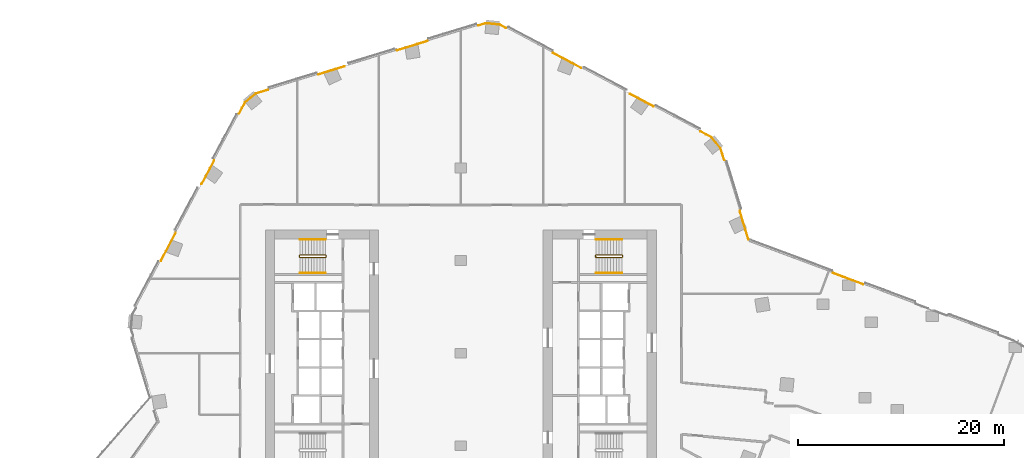
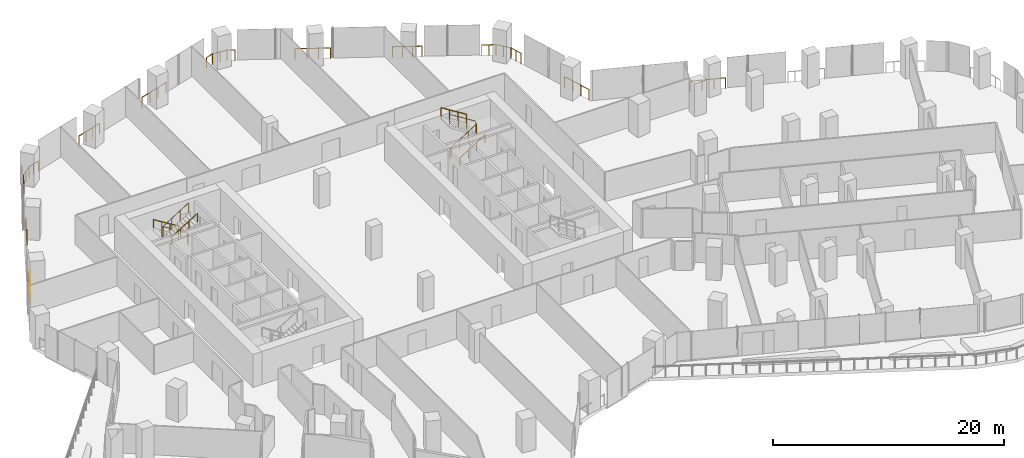
# One storey, part 30 of 30: 17 railings.
"""IFC4 building model written with IfcOpenShell, lengths in metres."""

from ifc_helpers import new_model, si_unit, direction, frame, origin, origin_2d, place, context, subcontext, project, spatial, circle, extrude, material, type_object, element, save


model = new_model("IFC4")

# Units and contexts
model_context = context("Model", 3, precision=1e-05, world=origin(), true_north=direction((0.0, 1.0)))
body_context = subcontext(model_context, "Body", "Model", "MODEL_VIEW")
ifc_project = project(units=[si_unit("LENGTHUNIT", "METRE"), si_unit("AREAUNIT", "SQUARE_METRE"), si_unit("VOLUMEUNIT", "CUBIC_METRE"), si_unit("PLANEANGLEUNIT", "RADIAN"), si_unit("MASSUNIT", "GRAM", prefix="KILO")], contexts=[model_context])

# Site, building, storey
site_placement = place(None, origin())
site = spatial("IfcSite", under=ifc_project, at=site_placement, CompositionType="ELEMENT")
building_placement = place(site_placement, origin())
building = spatial("IfcBuilding", under=site, at=building_placement, Name="Orlundy Tower", CompositionType="ELEMENT")
storey_placement = place(building_placement, frame((0.0, 0.0, 80.699951171875)))
storey = spatial("IfcBuildingStorey", under=building, at=storey_placement, Name="L19", CompositionType="ELEMENT", Elevation=80.699951171875)

# Railings
ifc_material_1 = material(Name="Steel balustrade", Category="steel")
railing_type_1 = type_object("IfcRailingType", Name="Stair Guard 1100", PredefinedType="GUARDRAIL", material=ifc_material_1)
railing_1_placement = place(storey_placement, frame((-13.090087890625, 9.5, 0.0)))
element("IfcRailing", 1, at=railing_1_placement, inside=storey, type_object=railing_type_1, Name="L19 ST-W1 stair guard 1", PredefinedType="GUARDRAIL", context=body_context, shape_type="SweptSolid", body=[
    extrude(circle(Radius=0.02392578125, at=origin_2d()), frame((0.0, 0.0, 1.076171875), z_axis=(0.0, -1.0, 0.0), x_axis=(1.0, 0.0, 0.0)), (0.0, 0.0, 1.0), 0.14990234375),
    extrude(circle(Radius=0.02392578125, at=origin_2d()), frame((0.0, -0.14990234375, 1.076171875), z_axis=(-0.18420542264, 0.739530593833, 0.647427882513), x_axis=(-0.970351222016, -0.241699205484, 0.0)), (0.0, 0.0, 1.0), 0.270263671875),
    extrude(circle(Radius=0.02392578125, at=origin_2d()), frame((-0.0498046875, 0.050048828125, 1.2509765625), z_axis=(-0.848007534815, 0.0, 0.529984170421), x_axis=(0.0, -1.0, 0.0)), (0.0, 0.0, 1.0), 2.9716796875),
    extrude(circle(Radius=0.02392578125, at=origin_2d()), frame((-2.56982421875, 0.050048828125, 2.826171875), z_axis=(-0.707106781187, -0.707106781187, 0.0), x_axis=(0.707106781187, -0.707106781187, 0.0)), (0.0, 0.0, 1.0), 0.07080078125),
    extrude(circle(Radius=0.02392578125, at=origin_2d()), frame((-2.619873046875, 0.0, 2.826171875), z_axis=(0.0, -1.0, 0.0), x_axis=(1.0, 0.0, 0.0)), (0.0, 0.0, 1.0), 0.14990234375),
    extrude(circle(Radius=0.02392578125, at=origin_2d()), frame((-2.619873046875, -0.14990234375, 2.826171875), z_axis=(0.265065253269, -0.265065253269, 0.927081885822), x_axis=(0.707106781187, 0.707106781187, 0.0)), (0.0, 0.0, 1.0), 0.188720703125),
    extrude(circle(Radius=0.02392578125, at=origin_2d()), frame((-2.56982421875, -0.199951171875, 3.0009765625), z_axis=(0.848007534815, 0.0, 0.529984170421), x_axis=(0.0, 1.0, 0.0)), (0.0, 0.0, 1.0), 2.9716796875),
    extrude(circle(Radius=0.02099609375, at=origin_2d()), origin(), (0.0, 0.0, 1.0), 1.052001953125),
    extrude(circle(Radius=0.02099609375, at=origin_2d()), frame((0.0, -0.14990234375, 0.0)), (0.0, 0.0, 1.0), 1.052001953125),
    extrude(circle(Radius=0.02099609375, at=origin_2d()), frame((-0.0498046875, 0.050048828125, 0.175048828125)), (0.0, 0.0, 1.0), 1.052001953125),
    extrude(circle(Radius=0.02099609375, at=origin_2d()), frame((-0.889892578125, 0.050048828125, 0.699951171875)), (0.0, 0.0, 1.0), 1.052001953125),
    extrude(circle(Radius=0.02099609375, at=origin_2d()), frame((-1.729736328125, 0.050048828125, 1.22509765625)), (0.0, 0.0, 1.0), 1.052001953125),
    extrude(circle(Radius=0.02099609375, at=origin_2d()), frame((-2.56982421875, 0.050048828125, 1.75)), (0.0, 0.0, 1.0), 1.052001953125),
    extrude(circle(Radius=0.02099609375, at=origin_2d()), frame((-2.619873046875, 0.0, 1.75)), (0.0, 0.0, 1.0), 1.052001953125),
    extrude(circle(Radius=0.02099609375, at=origin_2d()), frame((-2.619873046875, -0.14990234375, 1.75)), (0.0, 0.0, 1.0), 1.052001953125),
    extrude(circle(Radius=0.02099609375, at=origin_2d()), frame((-2.56982421875, -0.199951171875, 1.925048828125)), (0.0, 0.0, 1.0), 1.052001953125),
    extrude(circle(Radius=0.02099609375, at=origin_2d()), frame((-1.729736328125, -0.199951171875, 2.449951171875)), (0.0, 0.0, 1.0), 1.052001953125),
    extrude(circle(Radius=0.02099609375, at=origin_2d()), frame((-0.889892578125, -0.199951171875, 2.97509765625)), (0.0, 0.0, 1.0), 1.052001953125),
    extrude(circle(Radius=0.02099609375, at=origin_2d()), frame((-0.0498046875, -0.199951171875, 3.5)), (0.0, 0.0, 1.0), 1.052001953125),
])
railing_2_placement = place(storey_placement, frame((13.090087890625, 9.35009765625, 0.0)))
element("IfcRailing", 2, at=railing_2_placement, inside=storey, type_object=railing_type_1, Name="L19 ST-E2 stair guard 1", PredefinedType="GUARDRAIL", context=body_context, shape_type="SweptSolid", body=[
    extrude(circle(Radius=0.02392578125, at=origin_2d()), frame((0.0, 0.0, 1.076171875), z_axis=(0.0, 1.0, 0.0), x_axis=(-1.0, 0.0, 0.0)), (0.0, 0.0, 1.0), 0.14990234375),
    extrude(circle(Radius=0.02392578125, at=origin_2d()), frame((0.0, 0.14990234375, 1.076171875), z_axis=(0.18420542264, -0.739530593833, 0.647427882513), x_axis=(0.970351222016, 0.241699205484, 0.0)), (0.0, 0.0, 1.0), 0.270263671875),
    extrude(circle(Radius=0.02392578125, at=origin_2d()), frame((0.0498046875, -0.050048828125, 1.2509765625), z_axis=(0.848007534815, 0.0, 0.529984170421), x_axis=(0.0, 1.0, 0.0)), (0.0, 0.0, 1.0), 2.9716796875),
    extrude(circle(Radius=0.02392578125, at=origin_2d()), frame((2.56982421875, -0.050048828125, 2.826171875), z_axis=(0.707106781187, 0.707106781187, 0.0), x_axis=(-0.707106781187, 0.707106781187, 0.0)), (0.0, 0.0, 1.0), 0.07080078125),
    extrude(circle(Radius=0.02392578125, at=origin_2d()), frame((2.619873046875, 0.0, 2.826171875), z_axis=(0.0, 1.0, 0.0), x_axis=(-1.0, 0.0, 0.0)), (0.0, 0.0, 1.0), 0.14990234375),
    extrude(circle(Radius=0.02392578125, at=origin_2d()), frame((2.619873046875, 0.14990234375, 2.826171875), z_axis=(-0.265065253269, 0.265065253269, 0.927081885822), x_axis=(-0.707106781187, -0.707106781187, 0.0)), (0.0, 0.0, 1.0), 0.188720703125),
    extrude(circle(Radius=0.02392578125, at=origin_2d()), frame((2.56982421875, 0.199951171875, 3.0009765625), z_axis=(-0.848007534815, 0.0, 0.529984170421), x_axis=(0.0, -1.0, 0.0)), (0.0, 0.0, 1.0), 2.9716796875),
    extrude(circle(Radius=0.02099609375, at=origin_2d()), origin(), (0.0, 0.0, 1.0), 1.052001953125),
    extrude(circle(Radius=0.02099609375, at=origin_2d()), frame((0.0, 0.14990234375, 0.0)), (0.0, 0.0, 1.0), 1.052001953125),
    extrude(circle(Radius=0.02099609375, at=origin_2d()), frame((0.0498046875, -0.050048828125, 0.175048828125)), (0.0, 0.0, 1.0), 1.052001953125),
    extrude(circle(Radius=0.02099609375, at=origin_2d()), frame((0.889892578125, -0.050048828125, 0.699951171875)), (0.0, 0.0, 1.0), 1.052001953125),
    extrude(circle(Radius=0.02099609375, at=origin_2d()), frame((1.729736328125, -0.050048828125, 1.22509765625)), (0.0, 0.0, 1.0), 1.052001953125),
    extrude(circle(Radius=0.02099609375, at=origin_2d()), frame((2.56982421875, -0.050048828125, 1.75)), (0.0, 0.0, 1.0), 1.052001953125),
    extrude(circle(Radius=0.02099609375, at=origin_2d()), frame((2.619873046875, 0.0, 1.75)), (0.0, 0.0, 1.0), 1.052001953125),
    extrude(circle(Radius=0.02099609375, at=origin_2d()), frame((2.619873046875, 0.14990234375, 1.75)), (0.0, 0.0, 1.0), 1.052001953125),
    extrude(circle(Radius=0.02099609375, at=origin_2d()), frame((2.56982421875, 0.199951171875, 1.925048828125)), (0.0, 0.0, 1.0), 1.052001953125),
    extrude(circle(Radius=0.02099609375, at=origin_2d()), frame((1.729736328125, 0.199951171875, 2.449951171875)), (0.0, 0.0, 1.0), 1.052001953125),
    extrude(circle(Radius=0.02099609375, at=origin_2d()), frame((0.889892578125, 0.199951171875, 2.97509765625)), (0.0, 0.0, 1.0), 1.052001953125),
    extrude(circle(Radius=0.02099609375, at=origin_2d()), frame((0.0498046875, 0.199951171875, 3.5)), (0.0, 0.0, 1.0), 1.052001953125),
])
ifc_material_2 = material(Name="Steel handrail", Category="steel")
railing_type_2 = type_object("IfcRailingType", Name="Stair Handrail 900", PredefinedType="HANDRAIL", material=ifc_material_2)
railing_3_placement = place(storey_placement, frame((-13.139892578125, 11.050048828125, 0.175048828125)))
element("IfcRailing", 3, at=railing_3_placement, inside=storey, type_object=railing_type_2, Name="L19 ST-W1 stair handrail 1", PredefinedType="HANDRAIL", context=body_context, shape_type="SweptSolid", body=[
    extrude(circle(Radius=0.02392578125, at=origin_2d()), frame((0.0, 0.0, 0.8759765625), z_axis=(-0.848007534815, 0.0, 0.529984170421), x_axis=(0.0, -1.0, 0.0)), (0.0, 0.0, 1.0), 2.9716796875),
    extrude(circle(Radius=0.02099609375, at=origin_2d()), origin(), (0.0, 0.0, 1.0), 0.851806640625),
    extrude(circle(Radius=0.02099609375, at=origin_2d()), frame((-0.840087890625, 0.0, 0.52490234375)), (0.0, 0.0, 1.0), 0.851806640625),
    extrude(circle(Radius=0.02099609375, at=origin_2d()), frame((-1.679931640625, 0.0, 1.050048828125)), (0.0, 0.0, 1.0), 0.851806640625),
    extrude(circle(Radius=0.02099609375, at=origin_2d()), frame((-2.52001953125, 0.0, 1.574951171875)), (0.0, 0.0, 1.0), 0.851806640625),
])
for number, where, name in (
    (4, (-15.659912109375, 7.800048828125, 1.925048828125), "L19 ST-W1 stair handrail 2"),
    (5, (13.139892578125, 7.800048828125, 0.175048828125), "L19 ST-E2 stair handrail 1"),
):
    element("IfcRailing", number, at=place(storey_placement, frame(where)), inside=storey, type_object=railing_type_2, Name=name, PredefinedType="HANDRAIL", context=body_context, shape_type="SweptSolid", body=[
        extrude(circle(Radius=0.02392578125, at=origin_2d()), frame((0.0, 0.0, 0.8759765625), z_axis=(0.848007534815, 0.0, 0.529984170421), x_axis=(0.0, 1.0, 0.0)), (0.0, 0.0, 1.0), 2.9716796875),
        extrude(circle(Radius=0.02099609375, at=origin_2d()), origin(), (0.0, 0.0, 1.0), 0.851806640625),
        extrude(circle(Radius=0.02099609375, at=origin_2d()), frame((0.840087890625, 0.0, 0.52490234375)), (0.0, 0.0, 1.0), 0.851806640625),
        extrude(circle(Radius=0.02099609375, at=origin_2d()), frame((1.679931640625, 0.0, 1.050048828125)), (0.0, 0.0, 1.0), 0.851806640625),
        extrude(circle(Radius=0.02099609375, at=origin_2d()), frame((2.52001953125, 0.0, 1.574951171875)), (0.0, 0.0, 1.0), 0.851806640625),
    ])
railing_4_placement = place(storey_placement, frame((15.659912109375, 11.050048828125, 1.925048828125)))
element("IfcRailing", 6, at=railing_4_placement, inside=storey, type_object=railing_type_2, Name="L19 ST-E2 stair handrail 2", PredefinedType="HANDRAIL", context=body_context, shape_type="SweptSolid", body=[
    extrude(circle(Radius=0.02392578125, at=origin_2d()), frame((0.0, 0.0, 0.8759765625), z_axis=(-0.848007534815, 0.0, 0.529984170421), x_axis=(0.0, -1.0, 0.0)), (0.0, 0.0, 1.0), 2.9716796875),
    extrude(circle(Radius=0.02099609375, at=origin_2d()), origin(), (0.0, 0.0, 1.0), 0.851806640625),
    extrude(circle(Radius=0.02099609375, at=origin_2d()), frame((-0.840087890625, 0.0, 0.52490234375)), (0.0, 0.0, 1.0), 0.851806640625),
    extrude(circle(Radius=0.02099609375, at=origin_2d()), frame((-1.679931640625, 0.0, 1.050048828125)), (0.0, 0.0, 1.0), 0.851806640625),
    extrude(circle(Radius=0.02099609375, at=origin_2d()), frame((-2.52001953125, 0.0, 1.574951171875)), (0.0, 0.0, 1.0), 0.851806640625),
])
ifc_material_3 = material(Name="Stainless steel bronze finish", Category="steel")
railing_type_3 = type_object("IfcRailingType", Name="TG1 terrace guard", PredefinedType="GUARDRAIL", material=ifc_material_3)
railing_5_placement = place(storey_placement, frame((23.270263671875, 21.55908203125, 0.0)))
element("IfcRailing", 7, at=railing_5_placement, inside=storey, type_object=railing_type_3, Name="Guard TG-L19-E00", PredefinedType="GUARDRAIL", context=body_context, shape_type="SweptSolid", body=[
    extrude(circle(Radius=0.02490234375, at=origin_2d()), frame((0.0, 0.0, 1.09521484375), z_axis=(0.882968915007, -0.469431459461, 0.0), x_axis=(0.469431459461, 0.882968915007, 0.0)), (0.0, 0.0, 1.0), 1.249267578125),
    extrude(circle(Radius=0.02490234375, at=origin_2d()), frame((1.10302734375, -0.58642578125, 1.09521484375), z_axis=(0.635795334136, -0.771857689662, 0.0), x_axis=(0.771857689662, 0.635795334136, 0.0)), (0.0, 0.0, 1.0), 1.360107421875),
    extrude(circle(Radius=0.02490234375, at=origin_2d()), frame((1.9677734375, -1.63623046875, 1.09521484375), z_axis=(0.292355796987, -0.956309619301, 0.0), x_axis=(0.956309619301, 0.292355796987, 0.0)), (0.0, 0.0, 1.0), 1.219970703125),
    extrude(circle(Radius=0.02001953125, at=origin_2d()), origin(), (0.0, 0.0, 1.0), 1.070068359375),
    extrude(circle(Radius=0.02001953125, at=origin_2d()), frame((0.551513671875, -0.293212890625, 0.0)), (0.0, 0.0, 1.0), 1.070068359375),
    extrude(circle(Radius=0.02001953125, at=origin_2d()), frame((1.10302734375, -0.58642578125, 0.0)), (0.0, 0.0, 1.0), 1.070068359375),
    extrude(circle(Radius=0.02001953125, at=origin_2d()), frame((1.535400390625, -1.111328125, 0.0)), (0.0, 0.0, 1.0), 1.070068359375),
    extrude(circle(Radius=0.02001953125, at=origin_2d()), frame((1.9677734375, -1.63623046875, 0.0)), (0.0, 0.0, 1.0), 1.070068359375),
    extrude(circle(Radius=0.02001953125, at=origin_2d()), frame((2.14599609375, -2.2197265625, 0.0)), (0.0, 0.0, 1.0), 1.070068359375),
    extrude(circle(Radius=0.02001953125, at=origin_2d()), frame((2.324462890625, -2.802978515625, 0.0)), (0.0, 0.0, 1.0), 1.070068359375),
])
railing_6_placement = place(storey_placement, frame((-21.55908203125, 23.270263671875, 0.0)))
element("IfcRailing", 8, at=railing_6_placement, inside=storey, type_object=railing_type_3, Name="Guard TG-L19-E01", PredefinedType="GUARDRAIL", context=body_context, shape_type="SweptSolid", body=[
    extrude(circle(Radius=0.02490234375, at=origin_2d()), frame((0.0, 0.0, 1.09521484375), z_axis=(0.469431459461, 0.882968915007, 0.0), x_axis=(-0.882968915007, 0.469431459461, 0.0)), (0.0, 0.0, 1.0), 1.249267578125),
    extrude(circle(Radius=0.02490234375, at=origin_2d()), frame((0.58642578125, 1.10302734375, 1.09521484375), z_axis=(0.771857689662, 0.635795334136, 0.0), x_axis=(-0.635795334136, 0.771857689662, 0.0)), (0.0, 0.0, 1.0), 1.360107421875),
    extrude(circle(Radius=0.02490234375, at=origin_2d()), frame((1.63623046875, 1.9677734375, 1.09521484375), z_axis=(0.956309619301, 0.292355796987, 0.0), x_axis=(-0.292355796987, 0.956309619301, 0.0)), (0.0, 0.0, 1.0), 1.219970703125),
    extrude(circle(Radius=0.02001953125, at=origin_2d()), origin(), (0.0, 0.0, 1.0), 1.070068359375),
    extrude(circle(Radius=0.02001953125, at=origin_2d()), frame((0.293212890625, 0.551513671875, 0.0)), (0.0, 0.0, 1.0), 1.070068359375),
    extrude(circle(Radius=0.02001953125, at=origin_2d()), frame((0.58642578125, 1.10302734375, 0.0)), (0.0, 0.0, 1.0), 1.070068359375),
    extrude(circle(Radius=0.02001953125, at=origin_2d()), frame((1.111328125, 1.535400390625, 0.0)), (0.0, 0.0, 1.0), 1.070068359375),
    extrude(circle(Radius=0.02001953125, at=origin_2d()), frame((1.63623046875, 1.9677734375, 0.0)), (0.0, 0.0, 1.0), 1.070068359375),
    extrude(circle(Radius=0.02001953125, at=origin_2d()), frame((2.2197265625, 2.14599609375, 0.0)), (0.0, 0.0, 1.0), 1.070068359375),
    extrude(circle(Radius=0.02001953125, at=origin_2d()), frame((2.802978515625, 2.324462890625, 0.0)), (0.0, 0.0, 1.0), 1.070068359375),
])
railing_7_placement = place(storey_placement, frame((36.166015625, 7.78759765625, 0.0)))
element("IfcRailing", 9, at=railing_7_placement, inside=storey, type_object=railing_type_3, Name="Guard TG-L19-E06", PredefinedType="GUARDRAIL", context=body_context, shape_type="SweptSolid", body=[
    extrude(circle(Radius=0.02490234375, at=origin_2d()), frame((0.0, 0.0, 1.09521484375), z_axis=(0.936668366776, -0.350217604757, 0.0), x_axis=(0.350217604757, 0.936668366776, 0.0)), (0.0, 0.0, 1.0), 3.13134765625),
    extrude(circle(Radius=0.02001953125, at=origin_2d()), origin(), (0.0, 0.0, 1.0), 1.070068359375),
    extrude(circle(Radius=0.02001953125, at=origin_2d()), frame((0.977783203125, -0.365478515625, 0.0)), (0.0, 0.0, 1.0), 1.070068359375),
    extrude(circle(Radius=0.02001953125, at=origin_2d()), frame((1.955322265625, -0.731201171875, 0.0)), (0.0, 0.0, 1.0), 1.070068359375),
    extrude(circle(Radius=0.02001953125, at=origin_2d()), frame((2.93310546875, -1.0966796875, 0.0)), (0.0, 0.0, 1.0), 1.070068359375),
])
railing_8_placement = place(storey_placement, frame((-29.16650390625, 8.961669921875, 0.0)))
element("IfcRailing", 10, at=railing_8_placement, inside=storey, type_object=railing_type_3, Name="Guard TG-L19-E07", PredefinedType="GUARDRAIL", context=body_context, shape_type="SweptSolid", body=[
    extrude(circle(Radius=0.02490234375, at=origin_2d()), frame((0.0, 0.0, 1.09521484375), z_axis=(0.469416701805, 0.882976760774, 0.0), x_axis=(-0.882976760774, 0.469416701805, 0.0)), (0.0, 0.0, 1.0), 3.094482421875),
    extrude(circle(Radius=0.02001953125, at=origin_2d()), origin(), (0.0, 0.0, 1.0), 1.070068359375),
    extrude(circle(Radius=0.02001953125, at=origin_2d()), frame((0.484130859375, 0.910888671875, 0.0)), (0.0, 0.0, 1.0), 1.070068359375),
    extrude(circle(Radius=0.02001953125, at=origin_2d()), frame((0.968505859375, 1.821533203125, 0.0)), (0.0, 0.0, 1.0), 1.070068359375),
    extrude(circle(Radius=0.02001953125, at=origin_2d()), frame((1.45263671875, 2.732421875, 0.0)), (0.0, 0.0, 1.0), 1.070068359375),
])
railing_9_placement = place(storey_placement, frame((8.961669921875, 29.16650390625, 0.0)))
element("IfcRailing", 11, at=railing_9_placement, inside=storey, type_object=railing_type_3, Name="Guard TG-L19-E08", PredefinedType="GUARDRAIL", context=body_context, shape_type="SweptSolid", body=[
    extrude(circle(Radius=0.02490234375, at=origin_2d()), frame((0.0, 0.0, 1.09521484375), z_axis=(0.882976760774, -0.469416701805, 0.0), x_axis=(0.469416701805, 0.882976760774, 0.0)), (0.0, 0.0, 1.0), 3.094482421875),
    extrude(circle(Radius=0.02001953125, at=origin_2d()), origin(), (0.0, 0.0, 1.0), 1.070068359375),
    extrude(circle(Radius=0.02001953125, at=origin_2d()), frame((0.910888671875, -0.484130859375, 0.0)), (0.0, 0.0, 1.0), 1.070068359375),
    extrude(circle(Radius=0.02001953125, at=origin_2d()), frame((1.821533203125, -0.968505859375, 0.0)), (0.0, 0.0, 1.0), 1.070068359375),
    extrude(circle(Radius=0.02001953125, at=origin_2d()), frame((2.732421875, -1.45263671875, 0.0)), (0.0, 0.0, 1.0), 1.070068359375),
])
railing_10_placement = place(storey_placement, frame((-6.19189453125, 29.435791015625, 0.0)))
element("IfcRailing", 12, at=railing_10_placement, inside=storey, type_object=railing_type_3, Name="Guard TG-L19-E09", PredefinedType="GUARDRAIL", context=body_context, shape_type="SweptSolid", body=[
    extrude(circle(Radius=0.02490234375, at=origin_2d()), frame((0.0, 0.0, 1.09521484375), z_axis=(0.956299900558, 0.292387585566, 0.0), x_axis=(-0.292387585566, 0.956299900558, 0.0)), (0.0, 0.0, 1.0), 3.08203125),
    extrude(circle(Radius=0.02001953125, at=origin_2d()), origin(), (0.0, 0.0, 1.0), 1.070068359375),
    extrude(circle(Radius=0.02001953125, at=origin_2d()), frame((0.982421875, 0.30029296875, 0.0)), (0.0, 0.0, 1.0), 1.070068359375),
    extrude(circle(Radius=0.02001953125, at=origin_2d()), frame((1.96484375, 0.600830078125, 0.0)), (0.0, 0.0, 1.0), 1.070068359375),
    extrude(circle(Radius=0.02001953125, at=origin_2d()), frame((2.947265625, 0.901123046875, 0.0)), (0.0, 0.0, 1.0), 1.070068359375),
])
railing_11_placement = place(storey_placement, frame((27.101318359375, 13.827880859375, 0.0)))
element("IfcRailing", 13, at=railing_11_placement, inside=storey, type_object=railing_type_3, Name="Guard TG-L19-E011", PredefinedType="GUARDRAIL", context=body_context, shape_type="SweptSolid", body=[
    extrude(circle(Radius=0.02490234375, at=origin_2d()), frame((0.0, 0.0, 1.09521484375), z_axis=(0.292423120705, -0.956289035008, 0.0), x_axis=(0.956289035008, 0.292423120705, 0.0)), (0.0, 0.0, 1.0), 2.910400390625),
    extrude(circle(Radius=0.02001953125, at=origin_2d()), origin(), (0.0, 0.0, 1.0), 1.070068359375),
    extrude(circle(Radius=0.02001953125, at=origin_2d()), frame((0.28369140625, -0.927734375, 0.0)), (0.0, 0.0, 1.0), 1.070068359375),
    extrude(circle(Radius=0.02001953125, at=origin_2d()), frame((0.5673828125, -1.85546875, 0.0)), (0.0, 0.0, 1.0), 1.070068359375),
    extrude(circle(Radius=0.02001953125, at=origin_2d()), frame((0.85107421875, -2.783203125, 0.0)), (0.0, 0.0, 1.0), 1.070068359375),
])
railing_12_placement = place(storey_placement, frame((1.684326171875, 31.84375, 0.0)))
element("IfcRailing", 14, at=railing_12_placement, inside=storey, type_object=railing_type_3, Name="Guard TG-L19-E013", PredefinedType="GUARDRAIL", context=body_context, shape_type="SweptSolid", body=[
    extrude(circle(Radius=0.02490234375, at=origin_2d()), frame((0.0, 0.0, 1.09521484375), z_axis=(0.956359123225, 0.292193818252, 0.0), x_axis=(-0.292193818252, 0.956359123225, 0.0)), (0.0, 0.0, 1.0), 0.7529296875),
    extrude(circle(Radius=0.02490234375, at=origin_2d()), frame((0.719970703125, 0.219970703125, 1.09521484375), z_axis=(0.995393225663, -0.095876620221, 0.0), x_axis=(0.095876620221, 0.995393225663, 0.0)), (0.0, 0.0, 1.0), 1.35986328125),
    extrude(circle(Radius=0.02490234375, at=origin_2d()), frame((2.073486328125, 0.089599609375, 1.09521484375), z_axis=(0.882899441424, -0.469562111263, 0.0), x_axis=(0.469562111263, 0.882899441424, 0.0)), (0.0, 0.0, 1.0), 0.716552734375),
    extrude(circle(Radius=0.02001953125, at=origin_2d()), origin(), (0.0, 0.0, 1.0), 1.070068359375),
    extrude(circle(Radius=0.02001953125, at=origin_2d()), frame((0.719970703125, 0.219970703125, 0.0)), (0.0, 0.0, 1.0), 1.070068359375),
    extrude(circle(Radius=0.02001953125, at=origin_2d()), frame((1.396728515625, 0.15478515625, 0.0)), (0.0, 0.0, 1.0), 1.070068359375),
    extrude(circle(Radius=0.02001953125, at=origin_2d()), frame((2.073486328125, 0.089599609375, 0.0)), (0.0, 0.0, 1.0), 1.070068359375),
    extrude(circle(Radius=0.02001953125, at=origin_2d()), frame((2.7060546875, -0.246826171875, 0.0)), (0.0, 0.0, 1.0), 1.070068359375),
])
railing_13_placement = place(storey_placement, frame((-13.827880859375, 27.101318359375, 0.0)))
element("IfcRailing", 15, at=railing_13_placement, inside=storey, type_object=railing_type_3, Name="Guard TG-L19-E015", PredefinedType="GUARDRAIL", context=body_context, shape_type="SweptSolid", body=[
    extrude(circle(Radius=0.02490234375, at=origin_2d()), frame((0.0, 0.0, 1.09521484375), z_axis=(0.956296456917, 0.292398848301, 0.0), x_axis=(-0.292398848301, 0.956296456917, 0.0)), (0.0, 0.0, 1.0), 2.6142578125),
    extrude(circle(Radius=0.02001953125, at=origin_2d()), origin(), (0.0, 0.0, 1.0), 1.070068359375),
    extrude(circle(Radius=0.02001953125, at=origin_2d()), frame((0.833251953125, 0.2548828125, 0.0)), (0.0, 0.0, 1.0), 1.070068359375),
    extrude(circle(Radius=0.02001953125, at=origin_2d()), frame((1.666748046875, 0.509521484375, 0.0)), (0.0, 0.0, 1.0), 1.070068359375),
    extrude(circle(Radius=0.02001953125, at=origin_2d()), frame((2.5, 0.764404296875, 0.0)), (0.0, 0.0, 1.0), 1.070068359375),
])
railing_14_placement = place(storey_placement, frame((-25.192626953125, 16.436279296875, 0.0)))
element("IfcRailing", 16, at=railing_14_placement, inside=storey, type_object=railing_type_3, Name="Guard TG-L19-E016", PredefinedType="GUARDRAIL", context=body_context, shape_type="SweptSolid", body=[
    extrude(circle(Radius=0.02490234375, at=origin_2d()), frame((0.0, 0.0, 1.09521484375), z_axis=(0.469466865071, 0.882950090662, 0.0), x_axis=(-0.882950090662, 0.469466865071, 0.0)), (0.0, 0.0, 1.0), 2.577392578125),
    extrude(circle(Radius=0.02001953125, at=origin_2d()), origin(), (0.0, 0.0, 1.0), 1.070068359375),
    extrude(circle(Radius=0.02001953125, at=origin_2d()), frame((0.4033203125, 0.758544921875, 0.0)), (0.0, 0.0, 1.0), 1.070068359375),
    extrude(circle(Radius=0.02001953125, at=origin_2d()), frame((0.806640625, 1.51708984375, 0.0)), (0.0, 0.0, 1.0), 1.070068359375),
    extrude(circle(Radius=0.02001953125, at=origin_2d()), frame((1.2099609375, 2.275634765625, 0.0)), (0.0, 0.0, 1.0), 1.070068359375),
])
railing_15_placement = place(storey_placement, frame((16.436279296875, 25.192626953125, 0.0)))
element("IfcRailing", 17, at=railing_15_placement, inside=storey, type_object=railing_type_3, Name="Guard TG-L19-E017", PredefinedType="GUARDRAIL", context=body_context, shape_type="SweptSolid", body=[
    extrude(circle(Radius=0.02490234375, at=origin_2d()), frame((0.0, 0.0, 1.09521484375), z_axis=(0.882950090662, -0.469466865071, 0.0), x_axis=(0.469466865071, 0.882950090662, 0.0)), (0.0, 0.0, 1.0), 2.577392578125),
    extrude(circle(Radius=0.02001953125, at=origin_2d()), origin(), (0.0, 0.0, 1.0), 1.070068359375),
    extrude(circle(Radius=0.02001953125, at=origin_2d()), frame((0.758544921875, -0.4033203125, 0.0)), (0.0, 0.0, 1.0), 1.070068359375),
    extrude(circle(Radius=0.02001953125, at=origin_2d()), frame((1.51708984375, -0.806640625, 0.0)), (0.0, 0.0, 1.0), 1.070068359375),
    extrude(circle(Radius=0.02001953125, at=origin_2d()), frame((2.275634765625, -1.2099609375, 0.0)), (0.0, 0.0, 1.0), 1.070068359375),
])

save(model, "model.ifc")
